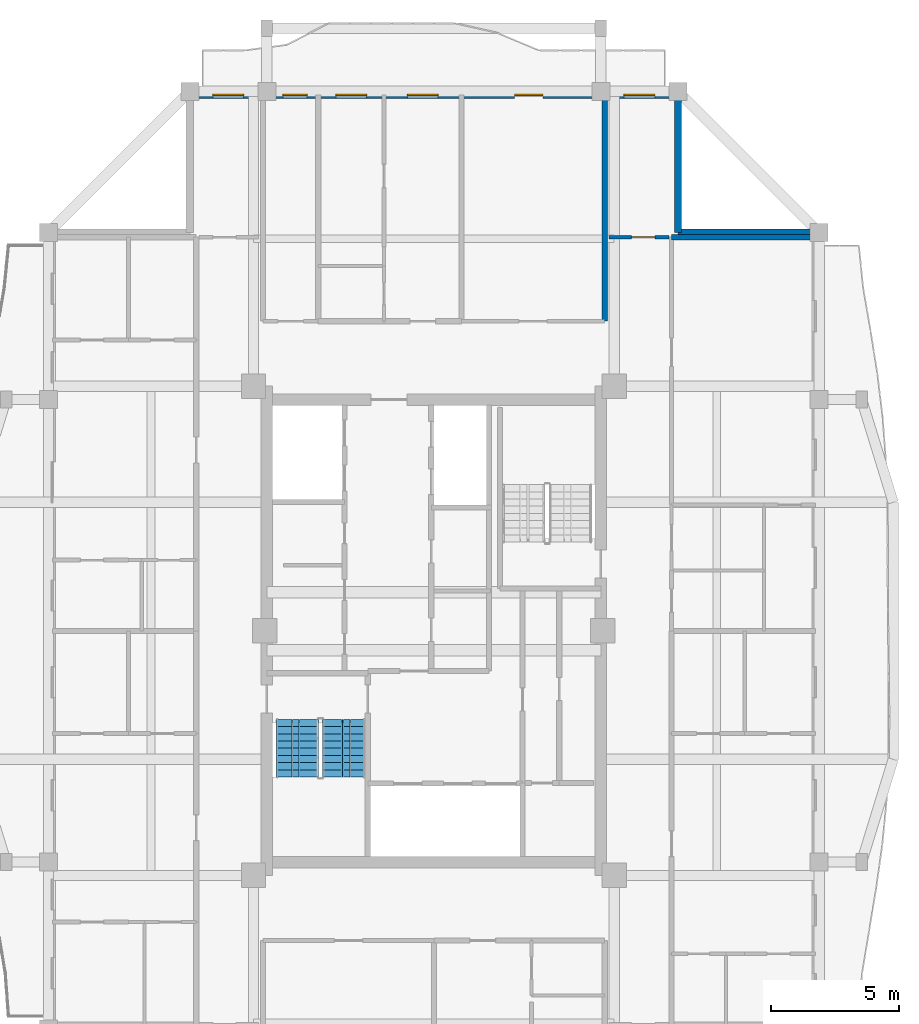
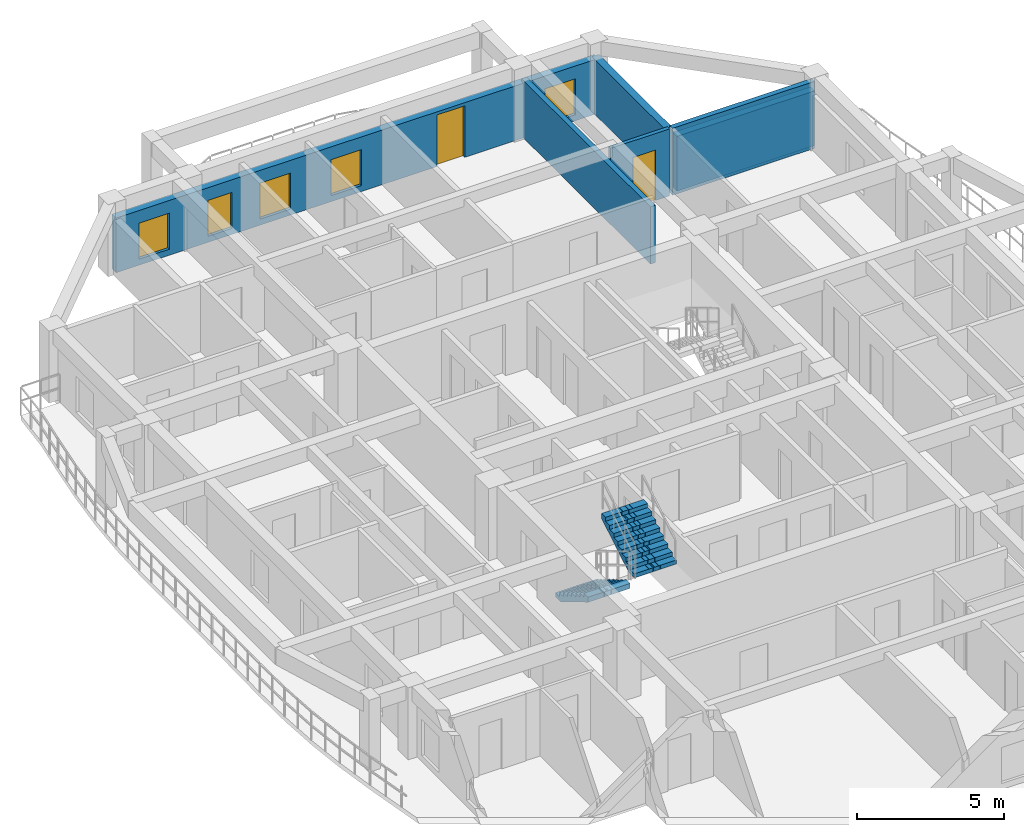
# One storey, part 6 of 12: 6 walls, 5 windows, 2 doors, 2 stair flights, 7 openings, 1 element without a shape of its own.
"""IFC4 building model written with IfcOpenShell, lengths in metres."""

from ifc_helpers import new_model, si_unit, direction, frame, frame_2d, origin, place, context, subcontext, project, spatial, polyline, rectangle, outline, extrude, source, transform, mapped, material, layer, layer_set, type_object, element, fill, aggregate, save


model = new_model("IFC4")

# Units and contexts
model_context = context("Model", 3, precision=1e-05, world=origin(), true_north=direction((0.0, 1.0)))
body_context = subcontext(model_context, "Body", "Model", "MODEL_VIEW")
ifc_project = project(units=[si_unit("LENGTHUNIT", "METRE"), si_unit("AREAUNIT", "SQUARE_METRE"), si_unit("VOLUMEUNIT", "CUBIC_METRE"), si_unit("PLANEANGLEUNIT", "RADIAN"), si_unit("MASSUNIT", "GRAM", prefix="KILO")], contexts=[model_context])

# Site, building, storey
site_placement = place(None, origin())
site = spatial("IfcSite", under=ifc_project, at=site_placement, CompositionType="ELEMENT")
building_placement = place(site_placement, origin())
building = spatial("IfcBuilding", under=site, at=building_placement, Name="Saelheon Loggia Tower", CompositionType="ELEMENT")
storey_placement = place(building_placement, frame((0.0, 0.0, 240.0)))
storey = spatial("IfcBuildingStorey", under=building, at=storey_placement, Name="L74", CompositionType="ELEMENT", Elevation=240.0)

# Wall, openings, windows, door
ifc_material_1 = material(Name="Architectural Precast Concrete C40/50", Category="concrete")
ifc_layer_1 = layer(ifc_material_1, 0.280029296875)
ifc_layer_set_1 = layer_set([ifc_layer_1], Name="Architectural Precast Concrete C40/50")
wall_type_1 = type_object("IfcWallType", Name="Wall_Ext_Loggia_280", PredefinedType="SOLIDWALL", material=ifc_layer_set_1)
wall_1_placement = place(storey_placement, frame((28.5, 47.860107421875, 0.0), z_axis=(0.0, 0.0, 1.0), x_axis=(1.0, 0.0, 0.0)))
wall_1 = element("IfcWall", 1, at=wall_1_placement, inside=storey, type_object=wall_type_1, Name="L74 North Loggia Inner Wall", PredefinedType="SOLIDWALL", context=body_context, shape_type="SweptSolid", body=[
    extrude(rectangle(XDim=19.0, YDim=0.280029296875, at=frame_2d((9.5, 0.0))), origin(), (0.0, 0.0, 1.0), 2.280029296875),
])
opening_1_placement = place(wall_1_placement, frame((0.89990234375, 0.0, 0.25)))
opening_1 = element("IfcOpeningElement", 2, at=opening_1_placement, cuts=wall_1, Name="Opening WN-03", PredefinedType="OPENING", context=body_context, shape_type="SweptSolid", body=[
    extrude(rectangle(XDim=1.199951171875, YDim=1.5, at=frame_2d((0.60009765625, 0.75))), frame((0.0, 0.152099609375, 0.0), z_axis=(0.0, -1.0, 0.0), x_axis=(1.0, 0.0, 0.0)), (0.0, 0.0, 1.0), 0.303955078125),
])
opening_2_placement = place(wall_1_placement, frame((3.6201171875, 0.0, 0.25)))
opening_2 = element("IfcOpeningElement", 3, at=opening_2_placement, cuts=wall_1, Name="Opening WN-04", PredefinedType="OPENING", context=body_context, shape_type="SweptSolid", body=[
    extrude(rectangle(XDim=0.949951171875, YDim=1.5, at=frame_2d((0.47509765625, 0.75))), frame((0.0, 0.152099609375, 0.0), z_axis=(0.0, -1.0, 0.0), x_axis=(1.0, 0.0, 0.0)), (0.0, 0.0, 1.0), 0.303955078125),
])
opening_3_placement = place(wall_1_placement, frame((5.682373046875, 0.0, 0.25)))
opening_3 = element("IfcOpeningElement", 4, at=opening_3_placement, cuts=wall_1, Name="Opening WN-03", PredefinedType="OPENING", context=body_context, shape_type="SweptSolid", body=[
    extrude(rectangle(XDim=1.199951171875, YDim=1.5, at=frame_2d((0.60009765625, 0.75))), frame((0.0, 0.152099609375, 0.0), z_axis=(0.0, -1.0, 0.0), x_axis=(1.0, 0.0, 0.0)), (0.0, 0.0, 1.0), 0.303955078125),
])
opening_4_placement = place(wall_1_placement, frame((8.4697265625, 0.0, 0.25)))
opening_4 = element("IfcOpeningElement", 5, at=opening_4_placement, cuts=wall_1, Name="Opening WN-03", PredefinedType="OPENING", context=body_context, shape_type="SweptSolid", body=[
    extrude(rectangle(XDim=1.199951171875, YDim=1.5, at=frame_2d((0.60009765625, 0.75))), frame((0.0, 0.152099609375, 0.0), z_axis=(0.0, -1.0, 0.0), x_axis=(1.0, 0.0, 0.0)), (0.0, 0.0, 1.0), 0.303955078125),
])
opening_5_placement = place(wall_1_placement, frame((12.642578125, 0.0, 0.0)))
opening_5 = element("IfcOpeningElement", 6, at=opening_5_placement, cuts=wall_1, Name="Opening TD1", PredefinedType="OPENING", context=body_context, shape_type="SweptSolid", body=[
    extrude(rectangle(XDim=1.10009765625, YDim=2.14990234375, at=frame_2d((0.550048828125, 1.074951171875))), frame((0.0, 0.152099609375, 0.0), z_axis=(0.0, -1.0, 0.0), x_axis=(1.0, 0.0, 0.0)), (0.0, 0.0, 1.0), 0.303955078125),
])
opening_6_placement = place(wall_1_placement, frame((16.89990234375, 0.0, 0.25)))
opening_6 = element("IfcOpeningElement", 7, at=opening_6_placement, cuts=wall_1, Name="Opening WN-03", PredefinedType="OPENING", context=body_context, shape_type="SweptSolid", body=[
    extrude(rectangle(XDim=1.199951171875, YDim=1.5, at=frame_2d((0.60009765625, 0.75))), frame((0.0, 0.152099609375, 0.0), z_axis=(0.0, -1.0, 0.0), x_axis=(1.0, 0.0, 0.0)), (0.0, 0.0, 1.0), 0.303955078125),
])
ifc_material_2 = material(Name="Thermal-Break Aluminium and Triple Low-E Glass", Category="aluminium")
window_type_1 = type_object("IfcWindowType", Name="Win_Bedroom_1200x1500", PartitioningType="SINGLE_PANEL", PredefinedType="WINDOW", material=ifc_material_2)
shared_shape_1 = source(origin(), body_context, "Body", "SweptSolid", [
    extrude(rectangle(XDim=1.199951171875, YDim=1.5, at=frame_2d((0.60009765625, 0.75))), frame((0.0, 0.030029296875, 0.0), z_axis=(0.0, -1.0, 0.0), x_axis=(1.0, 0.0, 0.0)), (0.0, 0.0, 1.0), 0.06005859375),
])
window_1_placement = place(opening_1_placement, origin())
window_1 = element("IfcWindow", 8, at=window_1_placement, inside=storey, type_object=window_type_1, Name="L74 N Dwelling Window 1", OverallHeight=1.5, OverallWidth=1.199951171875, PartitioningType="SINGLE_PANEL", PredefinedType="WINDOW", context=body_context, shape_type="MappedRepresentation", body=[
    mapped(shared_shape_1, transform((0.0, 0.0, 0.0), scale=1.0)),
])
fill(opening_1, window_1)
window_2_placement = place(opening_3_placement, origin())
window_2 = element("IfcWindow", 9, at=window_2_placement, inside=storey, type_object=window_type_1, Name="L74 N Dwelling Window 3", OverallHeight=1.5, OverallWidth=1.199951171875, PartitioningType="SINGLE_PANEL", PredefinedType="WINDOW", context=body_context, shape_type="MappedRepresentation", body=[
    mapped(shared_shape_1, transform((0.0, 0.0, 0.0), scale=1.0)),
])
fill(opening_3, window_2)
window_3_placement = place(opening_4_placement, origin())
window_3 = element("IfcWindow", 10, at=window_3_placement, inside=storey, type_object=window_type_1, Name="L74 N Dwelling Window 4", OverallHeight=1.5, OverallWidth=1.199951171875, PartitioningType="SINGLE_PANEL", PredefinedType="WINDOW", context=body_context, shape_type="MappedRepresentation", body=[
    mapped(shared_shape_1, transform((0.0, 0.0, 0.0), scale=1.0)),
])
fill(opening_4, window_3)
window_4_placement = place(opening_6_placement, origin())
window_4 = element("IfcWindow", 11, at=window_4_placement, inside=storey, type_object=window_type_1, Name="L74 N Dwelling Window 6", OverallHeight=1.5, OverallWidth=1.199951171875, PartitioningType="SINGLE_PANEL", PredefinedType="WINDOW", context=body_context, shape_type="MappedRepresentation", body=[
    mapped(shared_shape_1, transform((0.0, 0.0, 0.0), scale=1.0)),
])
fill(opening_6, window_4)
ifc_material_3 = material(Name="Thermal-Break Aluminium Glazed Door", Category="aluminium")
door_type_1 = type_object("IfcDoorType", Name="Door_Terrace_TD1", OperationType="NOTDEFINED", PredefinedType="DOOR", material=ifc_material_3)
shared_shape_2 = source(origin(), body_context, "Body", "SweptSolid", [
    extrude(rectangle(XDim=1.10009765625, YDim=2.14990234375, at=frame_2d((0.550048828125, 1.074951171875))), frame((0.0, 0.02490234375, 0.0), z_axis=(0.0, -1.0, 0.0), x_axis=(1.0, 0.0, 0.0)), (0.0, 0.0, 1.0), 0.050048828125),
])
door_1_placement = place(opening_5_placement, origin())
door_1 = element("IfcDoor", 12, at=door_1_placement, inside=storey, type_object=door_type_1, Name="L74 N Loggia Access Door", OperationType="SINGLE_SWING_LEFT", OverallHeight=2.14990234375, OverallWidth=1.10009765625, PredefinedType="DOOR", context=body_context, shape_type="MappedRepresentation", body=[
    mapped(shared_shape_2, transform((0.0, 0.0, 0.0), scale=1.0)),
])
fill(opening_5, door_1)
window_type_2 = type_object("IfcWindowType", Name="Win_Narrow_950x1500", PartitioningType="SINGLE_PANEL", PredefinedType="WINDOW", material=ifc_material_2)
shared_shape_3 = source(origin(), body_context, "Body", "SweptSolid", [
    extrude(rectangle(XDim=0.949951171875, YDim=1.5, at=frame_2d((0.47509765625, 0.75))), frame((0.0, 0.030029296875, 0.0), z_axis=(0.0, -1.0, 0.0), x_axis=(1.0, 0.0, 0.0)), (0.0, 0.0, 1.0), 0.06005859375),
])
window_5_placement = place(opening_2_placement, origin())
window_5 = element("IfcWindow", 13, at=window_5_placement, inside=storey, type_object=window_type_2, Name="L74 N Dwelling Window 2", OverallHeight=1.5, OverallWidth=0.949951171875, PartitioningType="SINGLE_PANEL", PredefinedType="WINDOW", context=body_context, shape_type="MappedRepresentation", body=[
    mapped(shared_shape_3, transform((0.0, 0.0, 0.0), scale=1.0)),
])
fill(opening_2, window_5)

# Walls
for number, where, z_axis, x_axis, name in (
    (14, (47.5, 42.5, 0.0), (0.0, 0.0, 1.0), (0.0, 1.0, 0.0), "L74 Corner Notch Precast Wall NE1"),
    (15, (47.5, 42.5, 0.0), (0.0, 0.0, 1.0), (1.0, 0.0, 0.0), "L74 Corner Notch Precast Wall NE2"),
):
    element("IfcWall", number, at=place(storey_placement, frame(where, z_axis=z_axis, x_axis=x_axis)), inside=storey, type_object=wall_type_1, Name=name, PredefinedType="SOLIDWALL", context=body_context, shape_type="SweptSolid", body=[
        extrude(rectangle(XDim=5.419921875, YDim=0.280029296875, at=frame_2d((2.7099609375, 0.0))), origin(), (0.0, 0.0, 1.0), 2.280029296875),
    ])

# Wall, opening, door
ifc_material_4 = material(Name="Lightweight Autoclaved Aerated Concrete Block and Acoustic Gypsum", Category="concrete")
ifc_layer_2 = layer(ifc_material_4, 0.14990234375)
ifc_layer_set_2 = layer_set([ifc_layer_2], Name="Lightweight Autoclaved Aerated Concrete Block and Acoustic Gypsum")
wall_type_2 = type_object("IfcWallType", Name="Wall_Part_150", PredefinedType="PARTITIONING", material=ifc_layer_set_2)
wall_2_placement = place(storey_placement, frame((44.820068359375, 42.320068359375, 0.0), z_axis=(0.0, 0.0, 1.0), x_axis=(1.0, 0.0, 0.0)))
wall_2 = element("IfcWall", 16, at=wall_2_placement, inside=storey, type_object=wall_type_2, Name="PW-L74-CNE-H", PredefinedType="PARTITIONING", context=body_context, shape_type="SweptSolid", body=[
    extrude(rectangle(XDim=2.329833984375, YDim=0.14990234375, at=frame_2d((1.1650390625, 0.0))), origin(), (0.0, 0.0, 1.0), 2.7900390625),
])
opening_7_placement = place(wall_2_placement, frame((0.8798828125, 0.0, 0.0)))
opening_7 = element("IfcOpeningElement", 17, at=opening_7_placement, cuts=wall_2, Name="Opening D-IN2", PredefinedType="OPENING", context=body_context, shape_type="SweptSolid", body=[
    extrude(rectangle(XDim=0.89990234375, YDim=2.10009765625, at=frame_2d((0.449951171875, 1.050048828125))), frame((0.0, 0.0869140625, 0.0), z_axis=(0.0, -1.0, 0.0), x_axis=(1.0, 0.0, 0.0)), (0.0, 0.0, 1.0), 0.173828125),
])
ifc_material_5 = material(Name="Engineered Oak Flush Door", Category="timber")
door_type_2 = type_object("IfcDoorType", Name="Door_Int_900", OperationType="NOTDEFINED", PredefinedType="DOOR", material=ifc_material_5)
shared_shape_4 = source(origin(), body_context, "Body", "SweptSolid", [
    extrude(rectangle(XDim=0.89990234375, YDim=2.10009765625, at=frame_2d((0.449951171875, 1.050048828125))), frame((0.0, 0.02490234375, 0.0), z_axis=(0.0, -1.0, 0.0), x_axis=(1.0, 0.0, 0.0)), (0.0, 0.0, 1.0), 0.050048828125),
])
door_2_placement = place(opening_7_placement, origin())
door_2 = element("IfcDoor", 18, at=door_2_placement, inside=storey, type_object=door_type_2, Name="L74 Corner Reading Room NE Door", OperationType="SINGLE_SWING_RIGHT", OverallHeight=2.10009765625, OverallWidth=0.89990234375, PredefinedType="DOOR", context=body_context, shape_type="MappedRepresentation", body=[
    mapped(shared_shape_4, transform((0.0, 0.0, 0.0), scale=1.0)),
])
fill(opening_7, door_2)

# Walls
ifc_material_6 = material(Name="Double Acoustic Stud and Fireboard Partition", Category="gypsum")
ifc_layer_3 = layer(ifc_material_6, 0.199951171875)
ifc_layer_set_3 = layer_set([ifc_layer_3], Name="Double Acoustic Stud and Fireboard Partition")
wall_type_3 = type_object("IfcWallType", Name="Wall_Party_200", PredefinedType="PARTITIONING", material=ifc_layer_set_3)
wall_3_placement = place(storey_placement, frame((44.64990234375, 39.050048828125, 0.0), z_axis=(0.0, 0.0, 1.0), x_axis=(0.0, 1.0, 0.0)))
element("IfcWall", 19, at=wall_3_placement, inside=storey, type_object=wall_type_3, Name="L74 N Partition U02", PredefinedType="PARTITIONING", context=body_context, shape_type="SweptSolid", body=[
    extrude(rectangle(XDim=8.800048828125, YDim=0.199951171875, at=frame_2d((4.39990234375, 0.0))), origin(), (0.0, 0.0, 1.0), 2.389892578125),
])
wall_4_placement = place(storey_placement, frame((47.25, 42.320068359375, 0.0), z_axis=(0.0, 0.0, 1.0), x_axis=(1.0, 0.0, 0.0)))
element("IfcWall", 20, at=wall_4_placement, inside=storey, type_object=wall_type_3, Name="L74 E Partition U02", PredefinedType="PARTITIONING", context=body_context, shape_type="SweptSolid", body=[
    extrude(rectangle(XDim=5.60009765625, YDim=0.199951171875, at=frame_2d((2.800048828125, 0.0))), origin(), (0.0, 0.0, 1.0), 2.7900390625),
])

# Stair, stair flights
ifc_material_7 = material(Name="Concrete C40/50", Category="concrete")
stair_type = type_object("IfcStairType", Name="Stair_Escape_Core", PredefinedType="HALF_TURN_STAIR", material=ifc_material_7)
stair_placement = place(storey_placement, origin())
stair = element("IfcStair", 21, at=stair_placement, inside=storey, type_object=stair_type, Name="L74 Special Escape Stair ST1", PredefinedType="HALF_TURN_STAIR")
stair_flight_type = type_object("IfcStairFlightType", Name="StairFlight_Tower_1660", PredefinedType="STRAIGHT", material=ifc_material_7)
stair_flight_1_placement = place(storey_placement, frame((32.679931640625, 23.550048828125, 0.0), z_axis=(0.0, 0.0, 1.0), x_axis=(0.0, -1.0, 0.0)))
stair_flight_1 = element("IfcStairFlight", 22, at=stair_flight_1_placement, type_object=stair_flight_type, Name="ST1 flight 1", NumberOfRisers=9, NumberOfTreads=8, PredefinedType="STRAIGHT", RiserHeight=0.166666667, TreadLength=0.28, context=body_context, shape_type="SweptSolid", body=[
    extrude(outline(polyline([(0.0, 0.0), (0.0, 0.166748046875), (0.280029296875, 0.166748046875), (0.280029296875, 0.333251953125), (0.56005859375, 0.333251953125), (0.56005859375, 0.5), (0.840087890625, 0.5), (0.840087890625, 0.666748046875), (1.1201171875, 0.666748046875), (1.1201171875, 0.833251953125), (1.39990234375, 0.833251953125), (1.39990234375, 1.0), (1.679931640625, 1.0), (1.679931640625, 1.166748046875), (1.9599609375, 1.166748046875), (1.9599609375, 1.333251953125), (2.239990234375, 1.333251953125), (2.239990234375, 1.5), (2.239990234375, 1.1240234375), (0.351806640625, 0.0), (0.0, 0.0)])), frame((0.0, -0.2490234375, 0.0), z_axis=(0.0, -1.0, 0.0), x_axis=(1.0, 0.0, 0.0)), (0.0, 0.0, 1.0), 0.5810546875),
    extrude(outline(polyline([(0.0, 0.0), (0.0, 0.166748046875), (0.280029296875, 0.166748046875), (0.280029296875, 0.333251953125), (0.56005859375, 0.333251953125), (0.56005859375, 0.5), (0.840087890625, 0.5), (0.840087890625, 0.666748046875), (1.1201171875, 0.666748046875), (1.1201171875, 0.833251953125), (1.39990234375, 0.833251953125), (1.39990234375, 1.0), (1.679931640625, 1.0), (1.679931640625, 1.166748046875), (1.9599609375, 1.166748046875), (1.9599609375, 1.333251953125), (2.239990234375, 1.333251953125), (2.239990234375, 1.5), (2.239990234375, 1.1240234375), (0.351806640625, 0.0), (0.0, 0.0)])), frame((0.0, -0.194091796875, 0.0), z_axis=(0.0, -1.0, 0.0), x_axis=(1.0, 0.0, 0.0)), (0.0, 0.0, 1.0), 0.0498046875),
    extrude(outline(polyline([(0.0, 0.0), (0.0, 0.166748046875), (0.280029296875, 0.166748046875), (0.280029296875, 0.333251953125), (0.56005859375, 0.333251953125), (0.56005859375, 0.5), (0.840087890625, 0.5), (0.840087890625, 0.666748046875), (1.1201171875, 0.666748046875), (1.1201171875, 0.833251953125), (1.39990234375, 0.833251953125), (1.39990234375, 1.0), (1.679931640625, 1.0), (1.679931640625, 1.166748046875), (1.9599609375, 1.166748046875), (1.9599609375, 1.333251953125), (2.239990234375, 1.333251953125), (2.239990234375, 1.5), (2.239990234375, 1.1240234375), (0.351806640625, 0.0), (0.0, 0.0)])), frame((0.0, -0.139404296875, 0.0), z_axis=(0.0, -1.0, 0.0), x_axis=(1.0, 0.0, 0.0)), (0.0, 0.0, 1.0), 0.0498046875),
    extrude(outline(polyline([(0.0, 0.0), (0.0, 0.166748046875), (0.280029296875, 0.166748046875), (0.280029296875, 0.333251953125), (0.56005859375, 0.333251953125), (0.56005859375, 0.5), (0.840087890625, 0.5), (0.840087890625, 0.666748046875), (1.1201171875, 0.666748046875), (1.1201171875, 0.833251953125), (1.39990234375, 0.833251953125), (1.39990234375, 1.0), (1.679931640625, 1.0), (1.679931640625, 1.166748046875), (1.9599609375, 1.166748046875), (1.9599609375, 1.333251953125), (2.239990234375, 1.333251953125), (2.239990234375, 1.5), (2.239990234375, 1.1240234375), (0.351806640625, 0.0), (0.0, 0.0)])), frame((0.0, -0.084716796875, 0.0), z_axis=(0.0, -1.0, 0.0), x_axis=(1.0, 0.0, 0.0)), (0.0, 0.0, 1.0), 0.0498046875),
    extrude(outline(polyline([(0.0, 0.0), (0.0, 0.166748046875), (0.280029296875, 0.166748046875), (0.280029296875, 0.333251953125), (0.56005859375, 0.333251953125), (0.56005859375, 0.5), (0.840087890625, 0.5), (0.840087890625, 0.666748046875), (1.1201171875, 0.666748046875), (1.1201171875, 0.833251953125), (1.39990234375, 0.833251953125), (1.39990234375, 1.0), (1.679931640625, 1.0), (1.679931640625, 1.166748046875), (1.9599609375, 1.166748046875), (1.9599609375, 1.333251953125), (2.239990234375, 1.333251953125), (2.239990234375, 1.5), (2.239990234375, 1.1240234375), (0.351806640625, 0.0), (0.0, 0.0)])), frame((0.0, -0.02978515625, 0.0), z_axis=(0.0, -1.0, 0.0), x_axis=(1.0, 0.0, 0.0)), (0.0, 0.0, 1.0), 0.0498046875),
    extrude(outline(polyline([(0.0, 0.0), (0.0, 0.166748046875), (0.280029296875, 0.166748046875), (0.280029296875, 0.333251953125), (0.56005859375, 0.333251953125), (0.56005859375, 0.5), (0.840087890625, 0.5), (0.840087890625, 0.666748046875), (1.1201171875, 0.666748046875), (1.1201171875, 0.833251953125), (1.39990234375, 0.833251953125), (1.39990234375, 1.0), (1.679931640625, 1.0), (1.679931640625, 1.166748046875), (1.9599609375, 1.166748046875), (1.9599609375, 1.333251953125), (2.239990234375, 1.333251953125), (2.239990234375, 1.5), (2.239990234375, 1.1240234375), (0.351806640625, 0.0), (0.0, 0.0)])), frame((0.0, 0.02490234375, 0.0), z_axis=(0.0, -1.0, 0.0), x_axis=(1.0, 0.0, 0.0)), (0.0, 0.0, 1.0), 0.0498046875),
    extrude(outline(polyline([(0.0, 0.0), (0.0, 0.166748046875), (0.280029296875, 0.166748046875), (0.280029296875, 0.333251953125), (0.56005859375, 0.333251953125), (0.56005859375, 0.5), (0.840087890625, 0.5), (0.840087890625, 0.666748046875), (1.1201171875, 0.666748046875), (1.1201171875, 0.833251953125), (1.39990234375, 0.833251953125), (1.39990234375, 1.0), (1.679931640625, 1.0), (1.679931640625, 1.166748046875), (1.9599609375, 1.166748046875), (1.9599609375, 1.333251953125), (2.239990234375, 1.333251953125), (2.239990234375, 1.5), (2.239990234375, 1.1240234375), (0.351806640625, 0.0), (0.0, 0.0)])), frame((0.0, 0.07958984375, 0.0), z_axis=(0.0, -1.0, 0.0), x_axis=(1.0, 0.0, 0.0)), (0.0, 0.0, 1.0), 0.0498046875),
    extrude(outline(polyline([(0.0, 0.0), (0.0, 0.166748046875), (0.280029296875, 0.166748046875), (0.280029296875, 0.333251953125), (0.56005859375, 0.333251953125), (0.56005859375, 0.5), (0.840087890625, 0.5), (0.840087890625, 0.666748046875), (1.1201171875, 0.666748046875), (1.1201171875, 0.833251953125), (1.39990234375, 0.833251953125), (1.39990234375, 1.0), (1.679931640625, 1.0), (1.679931640625, 1.166748046875), (1.9599609375, 1.166748046875), (1.9599609375, 1.333251953125), (2.239990234375, 1.333251953125), (2.239990234375, 1.5), (2.239990234375, 1.1240234375), (0.351806640625, 0.0), (0.0, 0.0)])), frame((0.0, 0.134521484375, 0.0), z_axis=(0.0, -1.0, 0.0), x_axis=(1.0, 0.0, 0.0)), (0.0, 0.0, 1.0), 0.0498046875),
    extrude(outline(polyline([(0.0, 0.0), (0.0, 0.166748046875), (0.280029296875, 0.166748046875), (0.280029296875, 0.333251953125), (0.56005859375, 0.333251953125), (0.56005859375, 0.5), (0.840087890625, 0.5), (0.840087890625, 0.666748046875), (1.1201171875, 0.666748046875), (1.1201171875, 0.833251953125), (1.39990234375, 0.833251953125), (1.39990234375, 1.0), (1.679931640625, 1.0), (1.679931640625, 1.166748046875), (1.9599609375, 1.166748046875), (1.9599609375, 1.333251953125), (2.239990234375, 1.333251953125), (2.239990234375, 1.5), (2.239990234375, 1.1240234375), (0.351806640625, 0.0), (0.0, 0.0)])), frame((0.0, 0.189208984375, 0.0), z_axis=(0.0, -1.0, 0.0), x_axis=(1.0, 0.0, 0.0)), (0.0, 0.0, 1.0), 0.0498046875),
    extrude(outline(polyline([(0.0, 0.0), (0.0, 0.166748046875), (0.280029296875, 0.166748046875), (0.280029296875, 0.333251953125), (0.56005859375, 0.333251953125), (0.56005859375, 0.5), (0.840087890625, 0.5), (0.840087890625, 0.666748046875), (1.1201171875, 0.666748046875), (1.1201171875, 0.833251953125), (1.39990234375, 0.833251953125), (1.39990234375, 1.0), (1.679931640625, 1.0), (1.679931640625, 1.166748046875), (1.9599609375, 1.166748046875), (1.9599609375, 1.333251953125), (2.239990234375, 1.333251953125), (2.239990234375, 1.5), (2.239990234375, 1.1240234375), (0.351806640625, 0.0), (0.0, 0.0)])), frame((0.0, 0.243896484375, 0.0), z_axis=(0.0, -1.0, 0.0), x_axis=(1.0, 0.0, 0.0)), (0.0, 0.0, 1.0), 0.0498046875),
    extrude(outline(polyline([(0.0, 0.0), (0.0, 0.166748046875), (0.280029296875, 0.166748046875), (0.280029296875, 0.333251953125), (0.56005859375, 0.333251953125), (0.56005859375, 0.5), (0.840087890625, 0.5), (0.840087890625, 0.666748046875), (1.1201171875, 0.666748046875), (1.1201171875, 0.833251953125), (1.39990234375, 0.833251953125), (1.39990234375, 1.0), (1.679931640625, 1.0), (1.679931640625, 1.166748046875), (1.9599609375, 1.166748046875), (1.9599609375, 1.333251953125), (2.239990234375, 1.333251953125), (2.239990234375, 1.5), (2.239990234375, 1.1240234375), (0.351806640625, 0.0), (0.0, 0.0)])), frame((0.0, 0.830078125, 0.0), z_axis=(0.0, -1.0, 0.0), x_axis=(1.0, 0.0, 0.0)), (0.0, 0.0, 1.0), 0.5810546875),
])
stair_flight_2_placement = place(storey_placement, frame((34.5, 21.31005859375, 1.5), z_axis=(0.0, 0.0, 1.0), x_axis=(0.0, 1.0, 0.0)))
stair_flight_2 = element("IfcStairFlight", 23, at=stair_flight_2_placement, type_object=stair_flight_type, Name="ST1 flight 2", NumberOfRisers=9, NumberOfTreads=8, PredefinedType="STRAIGHT", RiserHeight=0.166666667, TreadLength=0.28, context=body_context, shape_type="SweptSolid", body=[
    extrude(outline(polyline([(0.0, 0.0), (0.0, 0.166748046875), (0.280029296875, 0.166748046875), (0.280029296875, 0.333251953125), (0.56005859375, 0.333251953125), (0.56005859375, 0.5), (0.840087890625, 0.5), (0.840087890625, 0.666748046875), (1.1201171875, 0.666748046875), (1.1201171875, 0.833251953125), (1.39990234375, 0.833251953125), (1.39990234375, 1.0), (1.679931640625, 1.0), (1.679931640625, 1.166748046875), (1.9599609375, 1.166748046875), (1.9599609375, 1.333251953125), (2.239990234375, 1.333251953125), (2.239990234375, 1.5), (2.239990234375, 1.1240234375), (0.351806640625, 0.0), (0.0, 0.0)])), frame((0.0, -0.2490234375, 0.0), z_axis=(0.0, -1.0, 0.0), x_axis=(1.0, 0.0, 0.0)), (0.0, 0.0, 1.0), 0.5810546875),
    extrude(outline(polyline([(0.0, 0.0), (0.0, 0.166748046875), (0.280029296875, 0.166748046875), (0.280029296875, 0.333251953125), (0.56005859375, 0.333251953125), (0.56005859375, 0.5), (0.840087890625, 0.5), (0.840087890625, 0.666748046875), (1.1201171875, 0.666748046875), (1.1201171875, 0.833251953125), (1.39990234375, 0.833251953125), (1.39990234375, 1.0), (1.679931640625, 1.0), (1.679931640625, 1.166748046875), (1.9599609375, 1.166748046875), (1.9599609375, 1.333251953125), (2.239990234375, 1.333251953125), (2.239990234375, 1.5), (2.239990234375, 1.1240234375), (0.351806640625, 0.0), (0.0, 0.0)])), frame((0.0, -0.194091796875, 0.0), z_axis=(0.0, -1.0, 0.0), x_axis=(1.0, 0.0, 0.0)), (0.0, 0.0, 1.0), 0.0498046875),
    extrude(outline(polyline([(0.0, 0.0), (0.0, 0.166748046875), (0.280029296875, 0.166748046875), (0.280029296875, 0.333251953125), (0.56005859375, 0.333251953125), (0.56005859375, 0.5), (0.840087890625, 0.5), (0.840087890625, 0.666748046875), (1.1201171875, 0.666748046875), (1.1201171875, 0.833251953125), (1.39990234375, 0.833251953125), (1.39990234375, 1.0), (1.679931640625, 1.0), (1.679931640625, 1.166748046875), (1.9599609375, 1.166748046875), (1.9599609375, 1.333251953125), (2.239990234375, 1.333251953125), (2.239990234375, 1.5), (2.239990234375, 1.1240234375), (0.351806640625, 0.0), (0.0, 0.0)])), frame((0.0, -0.139404296875, 0.0), z_axis=(0.0, -1.0, 0.0), x_axis=(1.0, 0.0, 0.0)), (0.0, 0.0, 1.0), 0.0498046875),
    extrude(outline(polyline([(0.0, 0.0), (0.0, 0.166748046875), (0.280029296875, 0.166748046875), (0.280029296875, 0.333251953125), (0.56005859375, 0.333251953125), (0.56005859375, 0.5), (0.840087890625, 0.5), (0.840087890625, 0.666748046875), (1.1201171875, 0.666748046875), (1.1201171875, 0.833251953125), (1.39990234375, 0.833251953125), (1.39990234375, 1.0), (1.679931640625, 1.0), (1.679931640625, 1.166748046875), (1.9599609375, 1.166748046875), (1.9599609375, 1.333251953125), (2.239990234375, 1.333251953125), (2.239990234375, 1.5), (2.239990234375, 1.1240234375), (0.351806640625, 0.0), (0.0, 0.0)])), frame((0.0, -0.084716796875, 0.0), z_axis=(0.0, -1.0, 0.0), x_axis=(1.0, 0.0, 0.0)), (0.0, 0.0, 1.0), 0.0498046875),
    extrude(outline(polyline([(0.0, 0.0), (0.0, 0.166748046875), (0.280029296875, 0.166748046875), (0.280029296875, 0.333251953125), (0.56005859375, 0.333251953125), (0.56005859375, 0.5), (0.840087890625, 0.5), (0.840087890625, 0.666748046875), (1.1201171875, 0.666748046875), (1.1201171875, 0.833251953125), (1.39990234375, 0.833251953125), (1.39990234375, 1.0), (1.679931640625, 1.0), (1.679931640625, 1.166748046875), (1.9599609375, 1.166748046875), (1.9599609375, 1.333251953125), (2.239990234375, 1.333251953125), (2.239990234375, 1.5), (2.239990234375, 1.1240234375), (0.351806640625, 0.0), (0.0, 0.0)])), frame((0.0, -0.02978515625, 0.0), z_axis=(0.0, -1.0, 0.0), x_axis=(1.0, 0.0, 0.0)), (0.0, 0.0, 1.0), 0.0498046875),
    extrude(outline(polyline([(0.0, 0.0), (0.0, 0.166748046875), (0.280029296875, 0.166748046875), (0.280029296875, 0.333251953125), (0.56005859375, 0.333251953125), (0.56005859375, 0.5), (0.840087890625, 0.5), (0.840087890625, 0.666748046875), (1.1201171875, 0.666748046875), (1.1201171875, 0.833251953125), (1.39990234375, 0.833251953125), (1.39990234375, 1.0), (1.679931640625, 1.0), (1.679931640625, 1.166748046875), (1.9599609375, 1.166748046875), (1.9599609375, 1.333251953125), (2.239990234375, 1.333251953125), (2.239990234375, 1.5), (2.239990234375, 1.1240234375), (0.351806640625, 0.0), (0.0, 0.0)])), frame((0.0, 0.02490234375, 0.0), z_axis=(0.0, -1.0, 0.0), x_axis=(1.0, 0.0, 0.0)), (0.0, 0.0, 1.0), 0.0498046875),
    extrude(outline(polyline([(0.0, 0.0), (0.0, 0.166748046875), (0.280029296875, 0.166748046875), (0.280029296875, 0.333251953125), (0.56005859375, 0.333251953125), (0.56005859375, 0.5), (0.840087890625, 0.5), (0.840087890625, 0.666748046875), (1.1201171875, 0.666748046875), (1.1201171875, 0.833251953125), (1.39990234375, 0.833251953125), (1.39990234375, 1.0), (1.679931640625, 1.0), (1.679931640625, 1.166748046875), (1.9599609375, 1.166748046875), (1.9599609375, 1.333251953125), (2.239990234375, 1.333251953125), (2.239990234375, 1.5), (2.239990234375, 1.1240234375), (0.351806640625, 0.0), (0.0, 0.0)])), frame((0.0, 0.07958984375, 0.0), z_axis=(0.0, -1.0, 0.0), x_axis=(1.0, 0.0, 0.0)), (0.0, 0.0, 1.0), 0.0498046875),
    extrude(outline(polyline([(0.0, 0.0), (0.0, 0.166748046875), (0.280029296875, 0.166748046875), (0.280029296875, 0.333251953125), (0.56005859375, 0.333251953125), (0.56005859375, 0.5), (0.840087890625, 0.5), (0.840087890625, 0.666748046875), (1.1201171875, 0.666748046875), (1.1201171875, 0.833251953125), (1.39990234375, 0.833251953125), (1.39990234375, 1.0), (1.679931640625, 1.0), (1.679931640625, 1.166748046875), (1.9599609375, 1.166748046875), (1.9599609375, 1.333251953125), (2.239990234375, 1.333251953125), (2.239990234375, 1.5), (2.239990234375, 1.1240234375), (0.351806640625, 0.0), (0.0, 0.0)])), frame((0.0, 0.134521484375, 0.0), z_axis=(0.0, -1.0, 0.0), x_axis=(1.0, 0.0, 0.0)), (0.0, 0.0, 1.0), 0.0498046875),
    extrude(outline(polyline([(0.0, 0.0), (0.0, 0.166748046875), (0.280029296875, 0.166748046875), (0.280029296875, 0.333251953125), (0.56005859375, 0.333251953125), (0.56005859375, 0.5), (0.840087890625, 0.5), (0.840087890625, 0.666748046875), (1.1201171875, 0.666748046875), (1.1201171875, 0.833251953125), (1.39990234375, 0.833251953125), (1.39990234375, 1.0), (1.679931640625, 1.0), (1.679931640625, 1.166748046875), (1.9599609375, 1.166748046875), (1.9599609375, 1.333251953125), (2.239990234375, 1.333251953125), (2.239990234375, 1.5), (2.239990234375, 1.1240234375), (0.351806640625, 0.0), (0.0, 0.0)])), frame((0.0, 0.189208984375, 0.0), z_axis=(0.0, -1.0, 0.0), x_axis=(1.0, 0.0, 0.0)), (0.0, 0.0, 1.0), 0.0498046875),
    extrude(outline(polyline([(0.0, 0.0), (0.0, 0.166748046875), (0.280029296875, 0.166748046875), (0.280029296875, 0.333251953125), (0.56005859375, 0.333251953125), (0.56005859375, 0.5), (0.840087890625, 0.5), (0.840087890625, 0.666748046875), (1.1201171875, 0.666748046875), (1.1201171875, 0.833251953125), (1.39990234375, 0.833251953125), (1.39990234375, 1.0), (1.679931640625, 1.0), (1.679931640625, 1.166748046875), (1.9599609375, 1.166748046875), (1.9599609375, 1.333251953125), (2.239990234375, 1.333251953125), (2.239990234375, 1.5), (2.239990234375, 1.1240234375), (0.351806640625, 0.0), (0.0, 0.0)])), frame((0.0, 0.243896484375, 0.0), z_axis=(0.0, -1.0, 0.0), x_axis=(1.0, 0.0, 0.0)), (0.0, 0.0, 1.0), 0.0498046875),
    extrude(outline(polyline([(0.0, 0.0), (0.0, 0.166748046875), (0.280029296875, 0.166748046875), (0.280029296875, 0.333251953125), (0.56005859375, 0.333251953125), (0.56005859375, 0.5), (0.840087890625, 0.5), (0.840087890625, 0.666748046875), (1.1201171875, 0.666748046875), (1.1201171875, 0.833251953125), (1.39990234375, 0.833251953125), (1.39990234375, 1.0), (1.679931640625, 1.0), (1.679931640625, 1.166748046875), (1.9599609375, 1.166748046875), (1.9599609375, 1.333251953125), (2.239990234375, 1.333251953125), (2.239990234375, 1.5), (2.239990234375, 1.1240234375), (0.351806640625, 0.0), (0.0, 0.0)])), frame((0.0, 0.830078125, 0.0), z_axis=(0.0, -1.0, 0.0), x_axis=(1.0, 0.0, 0.0)), (0.0, 0.0, 1.0), 0.5810546875),
])
aggregate(stair, [stair_flight_1, stair_flight_2])

save(model, "model.ifc")
